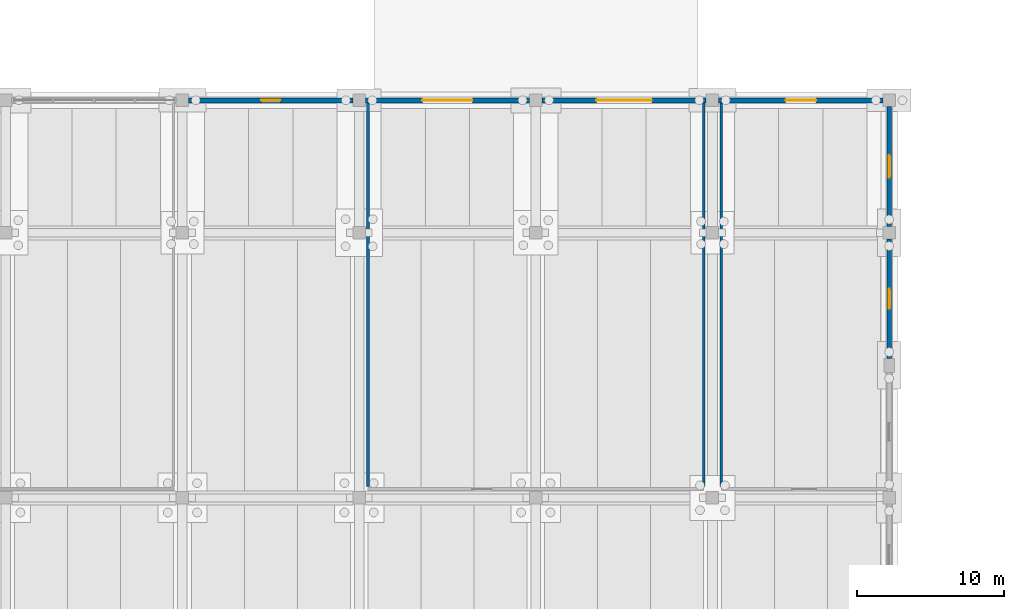
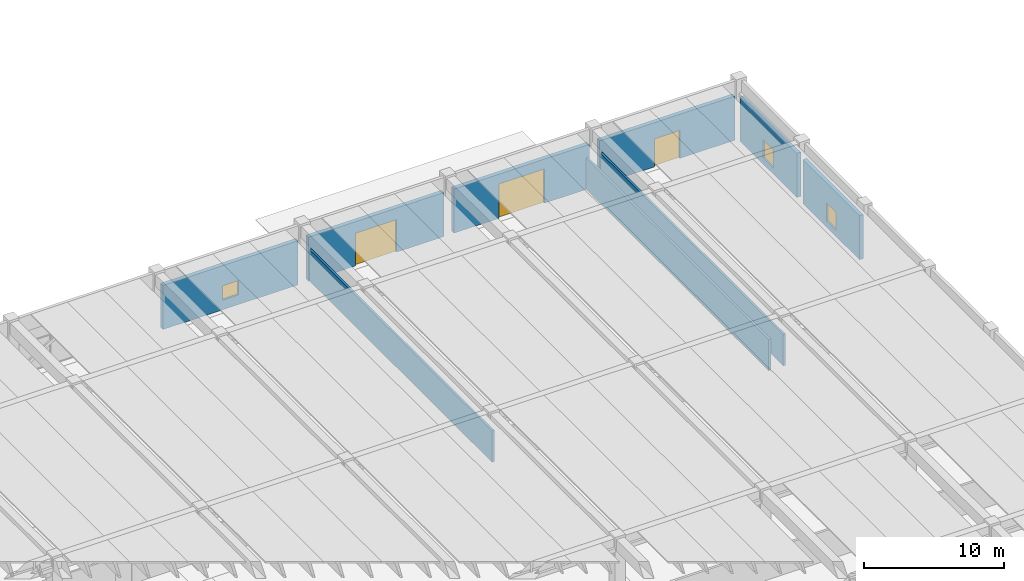
# One storey, part 31 of 59: 9 walls, 3 doors, 3 windows, 6 openings.
"""IFC4 building model written with IfcOpenShell, lengths in metres."""

from ifc_helpers import new_model, si_unit, direction, frame, frame_2d, origin, place, context, subcontext, project, spatial, rectangle, extrude, material, layer, layer_set, type_object, element, fill, save


model = new_model("IFC4")

# Units and contexts
model_context = context("Model", 3, precision=1e-05, world=origin(), true_north=direction((0.0, 1.0)))
body_context = subcontext(model_context, "Body", "Model", "MODEL_VIEW")
ifc_project = project(units=[si_unit("LENGTHUNIT", "METRE"), si_unit("AREAUNIT", "SQUARE_METRE"), si_unit("VOLUMEUNIT", "CUBIC_METRE"), si_unit("PLANEANGLEUNIT", "RADIAN"), si_unit("MASSUNIT", "GRAM", prefix="KILO")], contexts=[model_context])

# Site, building, storey
site_placement = place(None, origin())
site = spatial("IfcSite", under=ifc_project, at=site_placement, CompositionType="ELEMENT")
building_placement = place(site_placement, origin())
building = spatial("IfcBuilding", under=site, at=building_placement, Name="Girod Span Mobility Hub", CompositionType="ELEMENT")
storey_placement = place(building_placement, origin())
storey = spatial("IfcBuildingStorey", under=building, at=storey_placement, Name="L00", CompositionType="ELEMENT", Elevation=0.0)

# Wall, opening, window
ifc_material_1 = material(Name="Precast Architectural Concrete C40/50", Category="concrete")
ifc_layer_1 = layer(ifc_material_1, 0.320068359375)
ifc_layer_set_1 = layer_set([ifc_layer_1], Name="Precast Architectural Concrete C40/50")
wall_type_1 = type_object("IfcWallType", Name="W-EXT-320", PredefinedType="SOLIDWALL", material=ifc_layer_set_1)
wall_1_placement = place(storey_placement, frame((168.0, 96.472900390625, 0.0), z_axis=(0.0, 0.0, 1.0), x_axis=(0.0, 1.0, 0.0)))
wall_1 = element("IfcWall", 1, at=wall_1_placement, inside=storey, type_object=wall_type_1, Name="Side Exterior Wall E-G-2 L00", PredefinedType="SOLIDWALL", context=body_context, shape_type="SweptSolid", body=[
    extrude(rectangle(XDim=8.10400390625, YDim=0.320068359375, at=frame_2d((4.052001953125, 0.0))), origin(), (0.0, 0.0, 1.0), 3.85009765625),
])
opening_1_placement = place(wall_1_placement, frame((3.382080078125, 0.0, 0.550048828125)))
opening_1 = element("IfcOpeningElement", 2, at=opening_1_placement, cuts=wall_1, Name="Opening W-L00-E62", PredefinedType="OPENING", context=body_context, shape_type="SweptSolid", body=[
    extrude(rectangle(XDim=1.340087890625, YDim=1.580078125, at=frame_2d((0.669921875, 0.7900390625))), frame((0.0, 0.175048828125, 0.0), z_axis=(0.0, -1.0, 0.0), x_axis=(1.0, 0.0, 0.0)), (0.0, 0.0, 1.0), 0.35009765625),
])
ifc_material_2 = material(Name="Double Low-E Insulated Glazing", Category="glass")
window_type_1 = type_object("IfcWindowType", Name="WN-22", PartitioningType="SINGLE_PANEL", PredefinedType="WINDOW", material=ifc_material_2)
window_1_placement = place(opening_1_placement, origin())
window_1 = element("IfcWindow", 3, at=window_1_placement, inside=storey, type_object=window_type_1, Name="Side Facade Window WN-22", OverallHeight=1.580078125, OverallWidth=1.340087890625, PartitioningType="SINGLE_PANEL", PredefinedType="WINDOW", context=body_context, shape_type="SweptSolid", body=[
    extrude(rectangle(XDim=1.340087890625, YDim=1.580078125, at=frame_2d((0.669921875, 0.7900390625))), frame((0.0, 0.030029296875, 0.0), z_axis=(0.0, -1.0, 0.0), x_axis=(1.0, 0.0, 0.0)), (0.0, 0.0, 1.0), 0.06005859375),
])
fill(opening_1, window_1)

wall_2_placement = place(storey_placement, frame((168.0, 105.423095703125, 0.0), z_axis=(0.0, 0.0, 1.0), x_axis=(0.0, 1.0, 0.0)))
wall_2 = element("IfcWall", 4, at=wall_2_placement, inside=storey, type_object=wall_type_1, Name="Side Exterior Wall E-H-1 L00", PredefinedType="SOLIDWALL", context=body_context, shape_type="SweptSolid", body=[
    extrude(rectangle(XDim=8.15380859375, YDim=0.320068359375, at=frame_2d((4.076904296875, 0.0))), origin(), (0.0, 0.0, 1.0), 3.85009765625),
])
opening_2_placement = place(wall_2_placement, frame((3.326904296875, 0.0, 0.550048828125)))
opening_2 = element("IfcOpeningElement", 5, at=opening_2_placement, cuts=wall_2, Name="Opening W-L00-E71", PredefinedType="OPENING", context=body_context, shape_type="SweptSolid", body=[
    extrude(rectangle(XDim=1.5, YDim=1.580078125, at=frame_2d((0.75, 0.7900390625))), frame((0.0, 0.175048828125, 0.0), z_axis=(0.0, -1.0, 0.0), x_axis=(1.0, 0.0, 0.0)), (0.0, 0.0, 1.0), 0.35009765625),
])
ifc_material_3 = material(Name="Double Low-E Insulated Glazing", Category="glass")
window_type_2 = type_object("IfcWindowType", Name="WN-23", PartitioningType="SINGLE_PANEL", PredefinedType="WINDOW", material=ifc_material_3)
window_2_placement = place(opening_2_placement, origin())
window_2 = element("IfcWindow", 6, at=window_2_placement, inside=storey, type_object=window_type_2, Name="Side Facade Window WN-23", OverallHeight=1.580078125, OverallWidth=1.5, PartitioningType="SINGLE_PANEL", PredefinedType="WINDOW", context=body_context, shape_type="SweptSolid", body=[
    extrude(rectangle(XDim=1.5, YDim=1.580078125, at=frame_2d((0.75, 0.7900390625))), frame((0.0, 0.030029296875, 0.0), z_axis=(0.0, -1.0, 0.0), x_axis=(1.0, 0.0, 0.0)), (0.0, 0.0, 1.0), 0.06005859375),
])
fill(opening_2, window_2)

ifc_material_4 = material(Name="Precast Architectural Concrete C40/50", Category="concrete")
ifc_layer_2 = layer(ifc_material_4, 0.340087890625)
ifc_layer_set_2 = layer_set([ifc_layer_2], Name="Precast Architectural Concrete C40/50")
wall_type_2 = type_object("IfcWallType", Name="W-EXT-340", PredefinedType="SOLIDWALL", material=ifc_layer_set_2)
wall_3_placement = place(storey_placement, frame((120.423095703125, 114.0, 0.0), z_axis=(0.0, 0.0, 1.0), x_axis=(1.0, 0.0, 0.0)))
wall_3 = element("IfcWall", 7, at=wall_3_placement, inside=storey, type_object=wall_type_2, Name="Exterior Insulated Precast Wall N-11 L00", PredefinedType="SOLIDWALL", context=body_context, shape_type="SweptSolid", body=[
    extrude(rectangle(XDim=11.15380859375, YDim=0.340087890625, at=frame_2d((5.576904296875, 0.0))), origin(), (0.0, 0.0, 1.0), 3.85009765625),
])
opening_3_placement = place(wall_3_placement, frame((4.927001953125, 0.0, 0.85009765625)))
opening_3 = element("IfcOpeningElement", 8, at=opening_3_placement, cuts=wall_3, Name="Opening W-L00-N10", PredefinedType="OPENING", context=body_context, shape_type="SweptSolid", body=[
    extrude(rectangle(XDim=1.300048828125, YDim=1.25, at=frame_2d((0.64990234375, 0.625))), frame((0.0, 0.18505859375, 0.0), z_axis=(0.0, -1.0, 0.0), x_axis=(1.0, 0.0, 0.0)), (0.0, 0.0, 1.0), 0.3701171875),
])
ifc_material_5 = material(Name="Double Low-E Insulated Glazing", Category="glass")
window_type_3 = type_object("IfcWindowType", Name="WN-03", PartitioningType="SINGLE_PANEL", PredefinedType="WINDOW", material=ifc_material_5)
window_3_placement = place(opening_3_placement, origin())
window_3 = element("IfcWindow", 9, at=window_3_placement, inside=storey, type_object=window_type_3, Name="Concourse Window WN-03", OverallHeight=1.25, OverallWidth=1.300048828125, PartitioningType="SINGLE_PANEL", PredefinedType="WINDOW", context=body_context, shape_type="SweptSolid", body=[
    extrude(rectangle(XDim=1.300048828125, YDim=1.25, at=frame_2d((0.64990234375, 0.625))), frame((0.0, 0.030029296875, 0.0), z_axis=(0.0, -1.0, 0.0), x_axis=(1.0, 0.0, 0.0)), (0.0, 0.0, 1.0), 0.06005859375),
])
fill(opening_3, window_3)

# Wall, opening, door
wall_4_placement = place(storey_placement, frame((132.423095703125, 114.0, 0.0), z_axis=(0.0, 0.0, 1.0), x_axis=(1.0, 0.0, 0.0)))
wall_4 = element("IfcWall", 10, at=wall_4_placement, inside=storey, type_object=wall_type_2, Name="Exterior Insulated Precast Wall N-12 L00", PredefinedType="SOLIDWALL", context=body_context, shape_type="SweptSolid", body=[
    extrude(rectangle(XDim=11.15380859375, YDim=0.340087890625, at=frame_2d((5.576904296875, 0.0))), origin(), (0.0, 0.0, 1.0), 3.85009765625),
])
opening_4_placement = place(wall_4_placement, frame((3.876953125, 0.0, 0.0)))
opening_4 = element("IfcOpeningElement", 11, at=opening_4_placement, cuts=wall_4, Name="Opening RS-L00-11", PredefinedType="OPENING", context=body_context, shape_type="SweptSolid", body=[
    extrude(rectangle(XDim=3.39990234375, YDim=2.85009765625, at=frame_2d((1.699951171875, 1.425048828125))), frame((0.0, 0.18505859375, 0.0), z_axis=(0.0, -1.0, 0.0), x_axis=(1.0, 0.0, 0.0)), (0.0, 0.0, 1.0), 0.3701171875),
])
ifc_material_6 = material(Name="Insulated Galvanised Steel", Category="steel")
door_type_1 = type_object("IfcDoorType", Name="DR-EXT-14", OperationType="ROLLINGUP", PredefinedType="USERDEFINED", material=ifc_material_6)
door_1_placement = place(opening_4_placement, origin())
door_1 = element("IfcDoor", 12, at=door_1_placement, inside=storey, type_object=door_type_1, Name="Service Loading Bay Shutter 11", ObjectType="ROLLER SHUTTER", OperationType="ROLLINGUP", OverallHeight=2.85009765625, OverallWidth=3.39990234375, PredefinedType="USERDEFINED", context=body_context, shape_type="SweptSolid", body=[
    extrude(rectangle(XDim=3.39990234375, YDim=2.85009765625, at=frame_2d((1.699951171875, 1.425048828125))), frame((0.0, 0.02490234375, 0.0), z_axis=(0.0, -1.0, 0.0), x_axis=(1.0, 0.0, 0.0)), (0.0, 0.0, 1.0), 0.050048828125),
])
fill(opening_4, door_1)

wall_5_placement = place(storey_placement, frame((144.423095703125, 114.0, 0.0), z_axis=(0.0, 0.0, 1.0), x_axis=(1.0, 0.0, 0.0)))
wall_5 = element("IfcWall", 13, at=wall_5_placement, inside=storey, type_object=wall_type_2, Name="Exterior Insulated Precast Wall N-13 L00", PredefinedType="SOLIDWALL", context=body_context, shape_type="SweptSolid", body=[
    extrude(rectangle(XDim=11.15380859375, YDim=0.340087890625, at=frame_2d((5.576904296875, 0.0))), origin(), (0.0, 0.0, 1.0), 3.85009765625),
])
opening_5_placement = place(wall_5_placement, frame((3.697021484375, 0.0, 0.0)))
opening_5 = element("IfcOpeningElement", 14, at=opening_5_placement, cuts=wall_5, Name="Opening RS-L00-12", PredefinedType="OPENING", context=body_context, shape_type="SweptSolid", body=[
    extrude(rectangle(XDim=3.760009765625, YDim=3.0, at=frame_2d((1.8798828125, 1.5))), frame((0.0, 0.18505859375, 0.0), z_axis=(0.0, -1.0, 0.0), x_axis=(1.0, 0.0, 0.0)), (0.0, 0.0, 1.0), 0.3701171875),
])
ifc_material_7 = material(Name="Insulated Galvanised Steel", Category="steel")
door_type_2 = type_object("IfcDoorType", Name="DR-EXT-15", OperationType="ROLLINGUP", PredefinedType="USERDEFINED", material=ifc_material_7)
door_2_placement = place(opening_5_placement, origin())
door_2 = element("IfcDoor", 15, at=door_2_placement, inside=storey, type_object=door_type_2, Name="Service Loading Bay Shutter 12", ObjectType="ROLLER SHUTTER", OperationType="ROLLINGUP", OverallHeight=3.0, OverallWidth=3.760009765625, PredefinedType="USERDEFINED", context=body_context, shape_type="SweptSolid", body=[
    extrude(rectangle(XDim=3.760009765625, YDim=3.0, at=frame_2d((1.8798828125, 1.5))), frame((0.0, 0.02490234375, 0.0), z_axis=(0.0, -1.0, 0.0), x_axis=(1.0, 0.0, 0.0)), (0.0, 0.0, 1.0), 0.050048828125),
])
fill(opening_5, door_2)

wall_6_placement = place(storey_placement, frame((156.423095703125, 114.0, 0.0), z_axis=(0.0, 0.0, 1.0), x_axis=(1.0, 0.0, 0.0)))
wall_6 = element("IfcWall", 16, at=wall_6_placement, inside=storey, type_object=wall_type_2, Name="Exterior Insulated Precast Wall N-14 L00", PredefinedType="SOLIDWALL", context=body_context, shape_type="SweptSolid", body=[
    extrude(rectangle(XDim=11.15380859375, YDim=0.340087890625, at=frame_2d((5.576904296875, 0.0))), origin(), (0.0, 0.0, 1.0), 3.85009765625),
])
opening_6_placement = place(wall_6_placement, frame((4.537109375, 0.0, 0.0)))
opening_6 = element("IfcOpeningElement", 17, at=opening_6_placement, cuts=wall_6, Name="Opening D-L00-N13", PredefinedType="OPENING", context=body_context, shape_type="SweptSolid", body=[
    extrude(rectangle(XDim=2.080078125, YDim=2.43994140625, at=frame_2d((1.0400390625, 1.219970703125))), frame((0.0, 0.18505859375, 0.0), z_axis=(0.0, -1.0, 0.0), x_axis=(1.0, 0.0, 0.0)), (0.0, 0.0, 1.0), 0.3701171875),
])
ifc_material_8 = material(Name="Thermally Broken Anodised Aluminium", Category="aluminium")
door_type_3 = type_object("IfcDoorType", Name="DR-EXT-03", OperationType="DOUBLE_DOOR_SINGLE_SWING", PredefinedType="DOOR", material=ifc_material_8)
door_3_placement = place(opening_6_placement, origin())
door_3 = element("IfcDoor", 18, at=door_3_placement, inside=storey, type_object=door_type_3, Name="North Greenway Concourse Door 13", OperationType="DOUBLE_DOOR_SINGLE_SWING", OverallHeight=2.43994140625, OverallWidth=2.080078125, PredefinedType="DOOR", context=body_context, shape_type="SweptSolid", body=[
    extrude(rectangle(XDim=2.080078125, YDim=2.43994140625, at=frame_2d((1.0400390625, 1.219970703125))), frame((0.0, 0.02490234375, 0.0), z_axis=(0.0, -1.0, 0.0), x_axis=(1.0, 0.0, 0.0)), (0.0, 0.0, 1.0), 0.050048828125),
])
fill(opening_6, door_3)

# Walls
ifc_material_9 = material(Name="Reinforced Concrete Masonry Block", Category="masonry")
ifc_layer_3 = layer(ifc_material_9, 0.179931640625)
ifc_layer_set_3 = layer_set([ifc_layer_3], Name="Reinforced Concrete Masonry Block")
wall_type_3 = type_object("IfcWallType", Name="W-FP-180", PredefinedType="SOLIDWALL", material=ifc_layer_set_3)
for number, where, z_axis, x_axis, name in (
    (19, (132.60009765625, 87.760009765625, 0.0), (0.0, 0.0, 1.0), (0.0, 1.0, 0.0), "Loading Dock Partition W"),
    (20, (155.39990234375, 87.760009765625, 0.0), (0.0, 0.0, 1.0), (0.0, 1.0, 0.0), "Loading Dock Partition E"),
    (21, (156.60009765625, 87.760009765625, 0.0), (0.0, 0.0, 1.0), (0.0, 1.0, 0.0), "Mechanical Plant Fire Pump Room Partition W"),
):
    element("IfcWall", number, at=place(storey_placement, frame(where, z_axis=z_axis, x_axis=x_axis)), inside=storey, type_object=wall_type_3, Name=name, PredefinedType="SOLIDWALL", context=body_context, shape_type="SweptSolid", body=[
        extrude(rectangle(XDim=26.10009765625, YDim=0.179931640625, at=frame_2d((13.050048828125, 0.0))), origin(), (0.0, 0.0, 1.0), 2.75),
    ])

save(model, "model.ifc")
